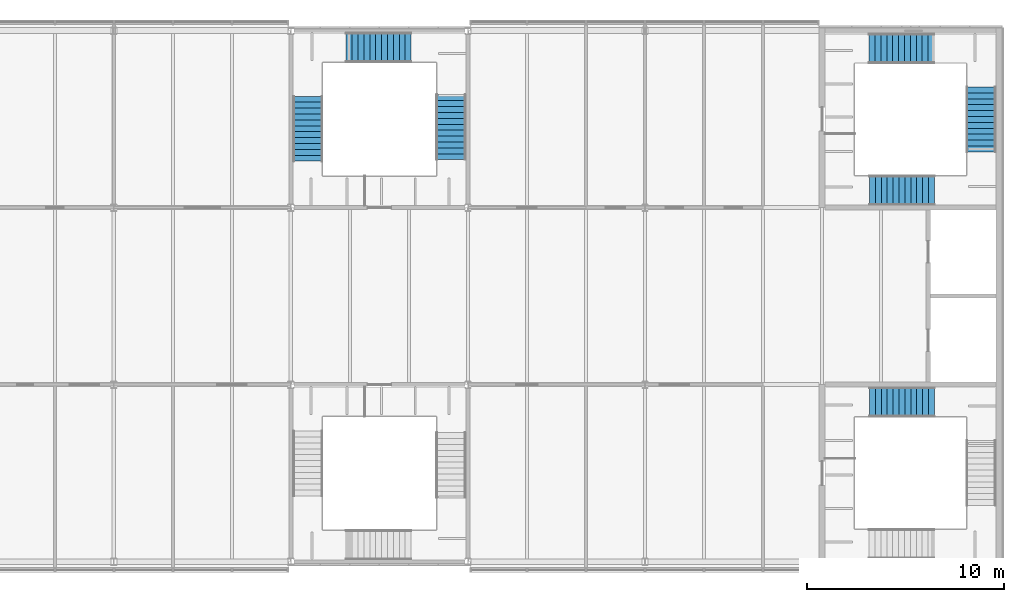
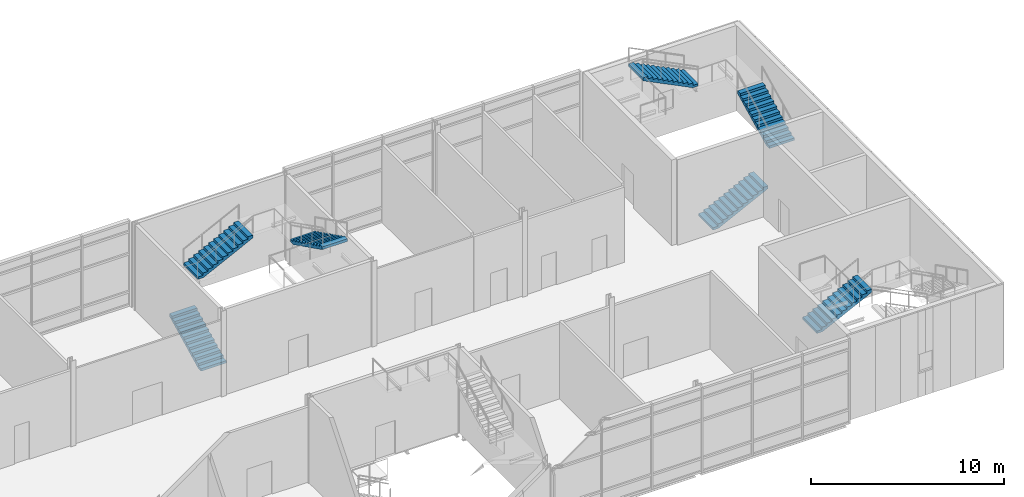
# One storey, part 42 of 52: 7 stair flights, 3 elements without a shape of their own.
"""IFC4 building model written with IfcOpenShell, lengths in metres."""

from ifc_helpers import new_model, si_unit, direction, frame, origin, place, context, subcontext, project, spatial, polyline, outline, extrude, material, type_object, element, aggregate, save


model = new_model("IFC4")

# Units and contexts
model_context = context("Model", 3, precision=1e-05, world=origin(), true_north=direction((0.0, 1.0)))
body_context = subcontext(model_context, "Body", "Model", "MODEL_VIEW")
ifc_project = project(units=[si_unit("LENGTHUNIT", "METRE"), si_unit("AREAUNIT", "SQUARE_METRE"), si_unit("VOLUMEUNIT", "CUBIC_METRE"), si_unit("PLANEANGLEUNIT", "RADIAN"), si_unit("MASSUNIT", "GRAM", prefix="KILO")], contexts=[model_context])

# Site, building, storey
site_placement = place(None, origin())
site = spatial("IfcSite", under=ifc_project, at=site_placement, CompositionType="ELEMENT")
building_placement = place(site_placement, origin())
building = spatial("IfcBuilding", under=site, at=building_placement, Name="Azimuth Sports and Learning Centre", CompositionType="ELEMENT")
storey_placement = place(building_placement, frame((0.0, 0.0, 16.199951171875)))
storey = spatial("IfcBuildingStorey", under=building, at=storey_placement, Name="L03", CompositionType="ELEMENT", Elevation=16.199951171875)

# Stair, stair flight
ifc_material_1 = material(Name="Concrete C32/40", Category="concrete")
stair_type_1 = type_object("IfcStairType", Name="Square-well stair end core 5400 storey", PredefinedType="THREE_QUARTER_TURN_STAIR", material=ifc_material_1)
stair_1_placement = place(storey_placement, origin())
stair_1 = element("IfcStair", 1, at=stair_1_placement, inside=storey, type_object=stair_type_1, Name="Stair EW1 L03-L04", PredefinedType="THREE_QUARTER_TURN_STAIR")
ifc_material_2 = material(Name="Concrete C32/40", Category="concrete")
stair_flight_type = type_object("IfcStairFlightType", Name="Stair flight 12 risers", PredefinedType="STRAIGHT", material=ifc_material_2)
stair_flight_1_placement = place(storey_placement, frame((164.409912109375, 98.114990234375, 0.0), z_axis=(0.0, 0.0, 1.0), x_axis=(1.0, 0.0, 0.0)))
stair_flight_1 = element("IfcStairFlight", 2, at=stair_flight_1_placement, type_object=stair_flight_type, Name="Stair EW1 L03 flight 1", NumberOfRisers=12, NumberOfTreads=11, PredefinedType="STRAIGHT", RiserHeight=0.15, TreadLength=0.3, context=body_context, shape_type="SweptSolid", body=[
    extrude(outline(polyline([(0.0, 0.0), (0.0, 0.14990234375), (0.300048828125, 0.14990234375), (0.300048828125, 0.300048828125), (0.60009765625, 0.300048828125), (0.60009765625, 0.449951171875), (0.89990234375, 0.449951171875), (0.89990234375, 0.60009765625), (1.199951171875, 0.60009765625), (1.199951171875, 0.75), (1.5, 0.75), (1.5, 0.89990234375), (1.800048828125, 0.89990234375), (1.800048828125, 1.050048828125), (2.10009765625, 1.050048828125), (2.10009765625, 1.199951171875), (2.39990234375, 1.199951171875), (2.39990234375, 1.35009765625), (2.699951171875, 1.35009765625), (2.699951171875, 1.5), (3.0, 1.5), (3.0, 1.64990234375), (3.300048828125, 1.64990234375), (3.300048828125, 1.800048828125), (3.300048828125, 1.482421875), (0.335205078125, 0.0), (0.0, 0.0)])), frame((0.0, 0.75, 0.0), z_axis=(0.0, -1.0, 0.0), x_axis=(1.0, 0.0, 0.0)), (0.0, 0.0, 1.0), 1.5),
])
aggregate(stair_1, [stair_flight_1])

# Stair, stair flights
stair_2_placement = place(storey_placement, origin())
stair_2 = element("IfcStair", 3, at=stair_2_placement, inside=storey, type_object=stair_type_1, Name="Stair EW2 L03-L04", PredefinedType="THREE_QUARTER_TURN_STAIR")
stair_flight_2_placement = place(storey_placement, frame((164.409912109375, 108.885009765625, 0.0), z_axis=(0.0, 0.0, 1.0), x_axis=(1.0, 0.0, 0.0)))
stair_flight_2 = element("IfcStairFlight", 4, at=stair_flight_2_placement, type_object=stair_flight_type, Name="Stair EW2 L03 flight 1", NumberOfRisers=12, NumberOfTreads=11, PredefinedType="STRAIGHT", RiserHeight=0.15, TreadLength=0.3, context=body_context, shape_type="SweptSolid", body=[
    extrude(outline(polyline([(0.0, 0.0), (0.0, 0.14990234375), (0.300048828125, 0.14990234375), (0.300048828125, 0.300048828125), (0.60009765625, 0.300048828125), (0.60009765625, 0.449951171875), (0.89990234375, 0.449951171875), (0.89990234375, 0.60009765625), (1.199951171875, 0.60009765625), (1.199951171875, 0.75), (1.5, 0.75), (1.5, 0.89990234375), (1.800048828125, 0.89990234375), (1.800048828125, 1.050048828125), (2.10009765625, 1.050048828125), (2.10009765625, 1.199951171875), (2.39990234375, 1.199951171875), (2.39990234375, 1.35009765625), (2.699951171875, 1.35009765625), (2.699951171875, 1.5), (3.0, 1.5), (3.0, 1.64990234375), (3.300048828125, 1.64990234375), (3.300048828125, 1.800048828125), (3.300048828125, 1.482421875), (0.335205078125, 0.0), (0.0, 0.0)])), frame((0.0, 0.75, 0.0), z_axis=(0.0, -1.0, 0.0), x_axis=(1.0, 0.0, 0.0)), (0.0, 0.0, 1.0), 1.5),
])
stair_flight_3_placement = place(storey_placement, frame((170.090087890625, 110.8349609375, 1.800048828125), z_axis=(0.0, 0.0, 1.0), x_axis=(0.0, 1.0, 0.0)))
stair_flight_3 = element("IfcStairFlight", 5, at=stair_flight_3_placement, type_object=stair_flight_type, Name="Stair EW2 L03 flight 2", NumberOfRisers=12, NumberOfTreads=11, PredefinedType="STRAIGHT", RiserHeight=0.15, TreadLength=0.3, context=body_context, shape_type="SweptSolid", body=[
    extrude(outline(polyline([(0.0, 0.0), (0.0, 0.14990234375), (0.300048828125, 0.14990234375), (0.300048828125, 0.300048828125), (0.60009765625, 0.300048828125), (0.60009765625, 0.449951171875), (0.89990234375, 0.449951171875), (0.89990234375, 0.60009765625), (1.199951171875, 0.60009765625), (1.199951171875, 0.75), (1.5, 0.75), (1.5, 0.89990234375), (1.800048828125, 0.89990234375), (1.800048828125, 1.050048828125), (2.10009765625, 1.050048828125), (2.10009765625, 1.199951171875), (2.39990234375, 1.199951171875), (2.39990234375, 1.35009765625), (2.699951171875, 1.35009765625), (2.699951171875, 1.5), (3.0, 1.5), (3.0, 1.64990234375), (3.300048828125, 1.64990234375), (3.300048828125, 1.800048828125), (3.300048828125, 1.482421875), (0.335205078125, 0.0), (0.0, 0.0)])), frame((0.0, 0.75, 0.0), z_axis=(0.0, -1.0, 0.0), x_axis=(1.0, 0.0, 0.0)), (0.0, 0.0, 1.0), 1.5),
])
stair_flight_4_placement = place(storey_placement, frame((167.68994140625, 116.090087890625, 3.60009765625), z_axis=(0.0, 0.0, 1.0), x_axis=(-1.0, 0.0, 0.0)))
stair_flight_4 = element("IfcStairFlight", 6, at=stair_flight_4_placement, type_object=stair_flight_type, Name="Stair EW2 L03 flight 3", NumberOfRisers=12, NumberOfTreads=11, PredefinedType="STRAIGHT", RiserHeight=0.15, TreadLength=0.3, context=body_context, shape_type="SweptSolid", body=[
    extrude(outline(polyline([(0.0, 0.0), (0.0, 0.14990234375), (0.300048828125, 0.14990234375), (0.300048828125, 0.300048828125), (0.60009765625, 0.300048828125), (0.60009765625, 0.449951171875), (0.89990234375, 0.449951171875), (0.89990234375, 0.60009765625), (1.199951171875, 0.60009765625), (1.199951171875, 0.75), (1.5, 0.75), (1.5, 0.89990234375), (1.800048828125, 0.89990234375), (1.800048828125, 1.050048828125), (2.10009765625, 1.050048828125), (2.10009765625, 1.199951171875), (2.39990234375, 1.199951171875), (2.39990234375, 1.35009765625), (2.699951171875, 1.35009765625), (2.699951171875, 1.5), (3.0, 1.5), (3.0, 1.64990234375), (3.300048828125, 1.64990234375), (3.300048828125, 1.800048828125), (3.300048828125, 1.482421875), (0.335205078125, 0.0), (0.0, 0.0)])), frame((0.0, 0.75, 0.0), z_axis=(0.0, -1.0, 0.0), x_axis=(1.0, 0.0, 0.0)), (0.0, 0.0, 1.0), 1.5),
])
aggregate(stair_2, [stair_flight_2, stair_flight_3, stair_flight_4])

ifc_material_3 = material(Name="Concrete C32/40", Category="concrete")
stair_type_2 = type_object("IfcStairType", Name="Square-well stair mid-wing cell 5400 storey", PredefinedType="THREE_QUARTER_TURN_STAIR", material=ifc_material_3)
stair_3_placement = place(storey_placement, origin())
stair_3 = element("IfcStair", 7, at=stair_3_placement, inside=storey, type_object=stair_type_2, Name="Stair EM2 L03-L04", PredefinedType="THREE_QUARTER_TURN_STAIR")
stair_flight_5_placement = place(storey_placement, frame((135.860107421875, 110.360107421875, 0.0), z_axis=(0.0, 0.0, 1.0), x_axis=(0.0, 1.0, 0.0)))
stair_flight_5 = element("IfcStairFlight", 8, at=stair_flight_5_placement, type_object=stair_flight_type, Name="Stair EM2 L03 flight 1", NumberOfRisers=12, NumberOfTreads=11, PredefinedType="STRAIGHT", RiserHeight=0.15, TreadLength=0.3, context=body_context, shape_type="SweptSolid", body=[
    extrude(outline(polyline([(0.0, 0.0), (0.0, 0.14990234375), (0.300048828125, 0.14990234375), (0.300048828125, 0.300048828125), (0.60009765625, 0.300048828125), (0.60009765625, 0.449951171875), (0.89990234375, 0.449951171875), (0.89990234375, 0.60009765625), (1.199951171875, 0.60009765625), (1.199951171875, 0.75), (1.5, 0.75), (1.5, 0.89990234375), (1.800048828125, 0.89990234375), (1.800048828125, 1.050048828125), (2.10009765625, 1.050048828125), (2.10009765625, 1.199951171875), (2.39990234375, 1.199951171875), (2.39990234375, 1.35009765625), (2.699951171875, 1.35009765625), (2.699951171875, 1.5), (3.0, 1.5), (3.0, 1.64990234375), (3.300048828125, 1.64990234375), (3.300048828125, 1.800048828125), (3.300048828125, 1.482421875), (0.335205078125, 0.0), (0.0, 0.0)])), frame((0.0, 0.75, 0.0), z_axis=(0.0, -1.0, 0.0), x_axis=(1.0, 0.0, 0.0)), (0.0, 0.0, 1.0), 1.5),
])
stair_flight_6_placement = place(storey_placement, frame((137.81005859375, 116.139892578125, 1.800048828125), z_axis=(0.0, 0.0, 1.0), x_axis=(1.0, 0.0, 0.0)))
stair_flight_6 = element("IfcStairFlight", 9, at=stair_flight_6_placement, type_object=stair_flight_type, Name="Stair EM2 L03 flight 2", NumberOfRisers=12, NumberOfTreads=11, PredefinedType="STRAIGHT", RiserHeight=0.15, TreadLength=0.3, context=body_context, shape_type="SweptSolid", body=[
    extrude(outline(polyline([(0.0, 0.0), (0.0, 0.14990234375), (0.300048828125, 0.14990234375), (0.300048828125, 0.300048828125), (0.60009765625, 0.300048828125), (0.60009765625, 0.449951171875), (0.89990234375, 0.449951171875), (0.89990234375, 0.60009765625), (1.199951171875, 0.60009765625), (1.199951171875, 0.75), (1.5, 0.75), (1.5, 0.89990234375), (1.800048828125, 0.89990234375), (1.800048828125, 1.050048828125), (2.10009765625, 1.050048828125), (2.10009765625, 1.199951171875), (2.39990234375, 1.199951171875), (2.39990234375, 1.35009765625), (2.699951171875, 1.35009765625), (2.699951171875, 1.5), (3.0, 1.5), (3.0, 1.64990234375), (3.300048828125, 1.64990234375), (3.300048828125, 1.800048828125), (3.300048828125, 1.482421875), (0.335205078125, 0.0), (0.0, 0.0)])), frame((0.0, 0.75, 0.0), z_axis=(0.0, -1.0, 0.0), x_axis=(1.0, 0.0, 0.0)), (0.0, 0.0, 1.0), 1.5),
])
stair_flight_7_placement = place(storey_placement, frame((143.139892578125, 113.739990234375, 3.60009765625), z_axis=(0.0, 0.0, 1.0), x_axis=(0.0, -1.0, 0.0)))
stair_flight_7 = element("IfcStairFlight", 10, at=stair_flight_7_placement, type_object=stair_flight_type, Name="Stair EM2 L03 flight 3", NumberOfRisers=12, NumberOfTreads=11, PredefinedType="STRAIGHT", RiserHeight=0.15, TreadLength=0.3, context=body_context, shape_type="SweptSolid", body=[
    extrude(outline(polyline([(0.0, 0.0), (0.0, 0.14990234375), (0.300048828125, 0.14990234375), (0.300048828125, 0.300048828125), (0.60009765625, 0.300048828125), (0.60009765625, 0.449951171875), (0.89990234375, 0.449951171875), (0.89990234375, 0.60009765625), (1.199951171875, 0.60009765625), (1.199951171875, 0.75), (1.5, 0.75), (1.5, 0.89990234375), (1.800048828125, 0.89990234375), (1.800048828125, 1.050048828125), (2.10009765625, 1.050048828125), (2.10009765625, 1.199951171875), (2.39990234375, 1.199951171875), (2.39990234375, 1.35009765625), (2.699951171875, 1.35009765625), (2.699951171875, 1.5), (3.0, 1.5), (3.0, 1.64990234375), (3.300048828125, 1.64990234375), (3.300048828125, 1.800048828125), (3.300048828125, 1.482421875), (0.335205078125, 0.0), (0.0, 0.0)])), frame((0.0, 0.75, 0.0), z_axis=(0.0, -1.0, 0.0), x_axis=(1.0, 0.0, 0.0)), (0.0, 0.0, 1.0), 1.5),
])
aggregate(stair_3, [stair_flight_5, stair_flight_6, stair_flight_7])

save(model, "model.ifc")
